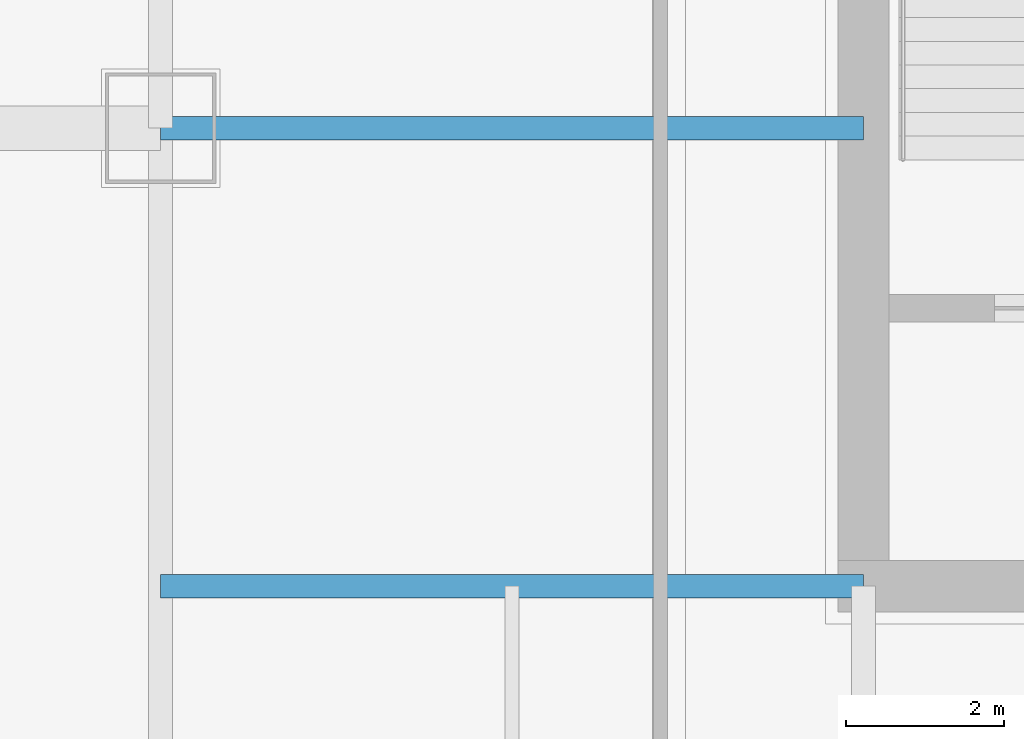
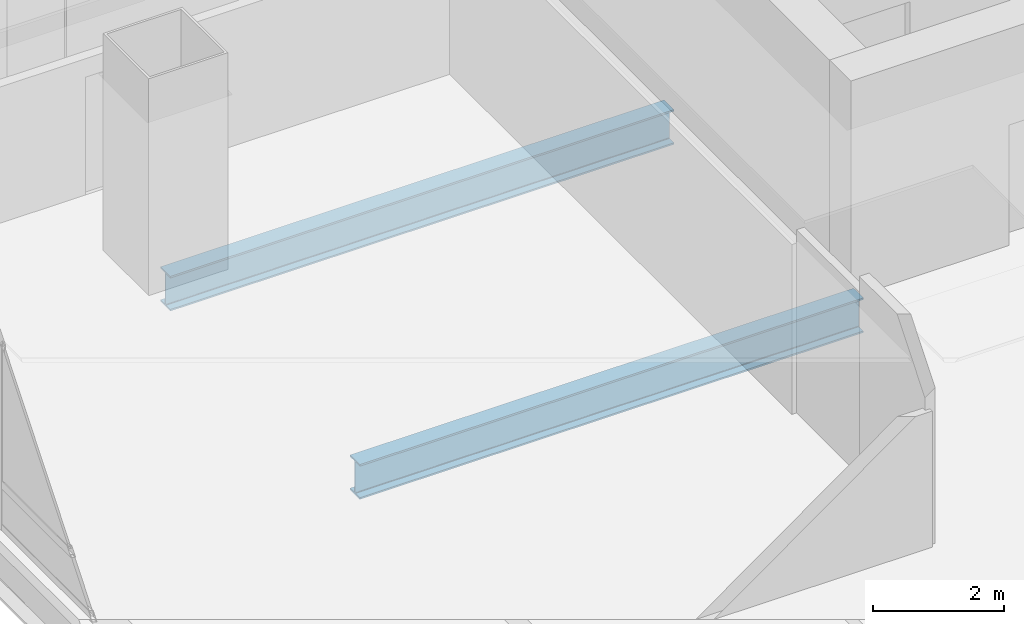
# One storey, part 6 of 38: 2 beams.
"""IFC4 building model written with IfcOpenShell, lengths in metres."""

from ifc_helpers import new_model, si_unit, direction, frame, origin, origin_2d, place, context, subcontext, project, spatial, i_section, extrude, material, material_profile, profile_set, type_object, element, save


model = new_model("IFC4")

# Units and contexts
model_context = context("Model", 3, precision=1e-05, world=origin(), true_north=direction((0.0, 1.0)))
body_context = subcontext(model_context, "Body", "Model", "MODEL_VIEW")
ifc_project = project(units=[si_unit("LENGTHUNIT", "METRE"), si_unit("AREAUNIT", "SQUARE_METRE"), si_unit("VOLUMEUNIT", "CUBIC_METRE"), si_unit("PLANEANGLEUNIT", "RADIAN"), si_unit("MASSUNIT", "GRAM", prefix="KILO")], contexts=[model_context])

# Site, building, storey
site_placement = place(None, origin())
site = spatial("IfcSite", under=ifc_project, at=site_placement, CompositionType="ELEMENT")
building_placement = place(site_placement, origin())
building = spatial("IfcBuilding", under=site, at=building_placement, Name="Punatoya Terracotta Tower", CompositionType="ELEMENT")
storey_placement = place(building_placement, frame((0.0, 0.0, 147.89990234375)))
storey = spatial("IfcBuildingStorey", under=building, at=storey_placement, Name="L34", CompositionType="ELEMENT", Elevation=147.89990234375)

# Beams
ifc_material = material(Name="Steel S355", Category="steel")
ifc_material_profile = material_profile(ifc_material, i_section(OverallWidth=0.300048828125, OverallDepth=0.64990234375, WebThickness=0.01611328125, FlangeThickness=0.031005859375, FilletRadius=0.01806640625, at=origin_2d()))
ifc_profile_set = profile_set([ifc_material_profile], Name="Steel S355")
beam_type = type_object("IfcBeamType", Name="BM-PRI-650", PredefinedType="BEAM", material=ifc_profile_set)
for number, where, z_axis, x_axis, name in (
    (1, (-19.10009765625, -9.199951171875, -0.544921875), (1.0, 0.0, 0.0), (0.0, 1.0, 0.0), "BM-L34-PR-WS"),
    (2, (-19.10009765625, -3.39990234375, -0.544921875), (1.0, 0.0, 0.0), (0.0, 1.0, 0.0), "BM-L34-PR-WD"),
):
    element("IfcBeam", number, at=place(storey_placement, frame(where, z_axis=z_axis, x_axis=x_axis)), inside=storey, type_object=beam_type, Name=name, PredefinedType="BEAM", context=body_context, shape_type="SweptSolid", body=[
        extrude(i_section(OverallWidth=0.300048828125, OverallDepth=0.64990234375, WebThickness=0.01611328125, FlangeThickness=0.031005859375, FilletRadius=0.01806640625, at=origin_2d()), origin(), (0.0, 0.0, 1.0), 8.900146484375),
    ])

save(model, "model.ifc")
